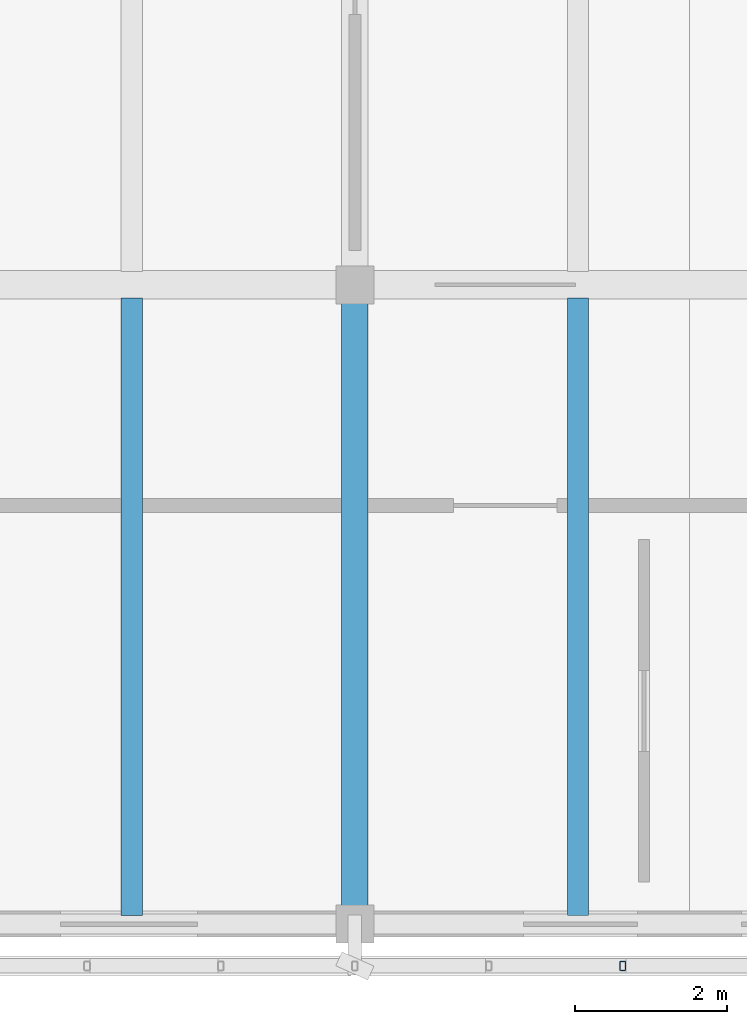
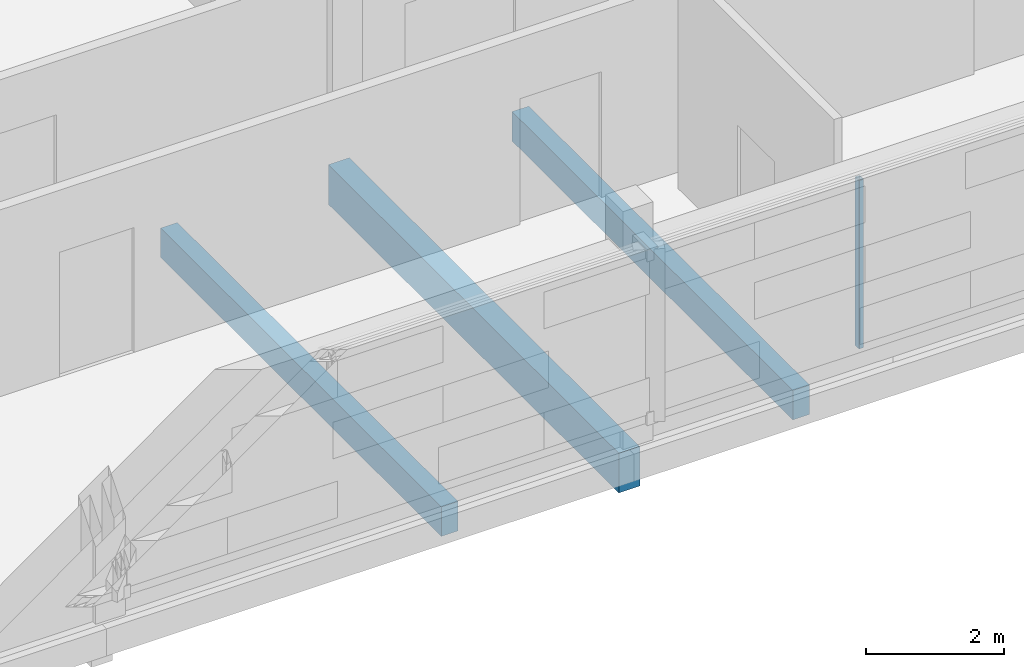
# One storey, part 24 of 137: 3 beams, 1 member.
"""IFC4 building model written with IfcOpenShell, lengths in metres."""

from ifc_helpers import new_model, si_unit, direction, frame, origin, origin_2d, place, context, subcontext, project, spatial, rectangle, hollow_rectangle, extrude, material, material_profile, profile_set, type_object, element, save


model = new_model("IFC4")

# Units and contexts
model_context = context("Model", 3, precision=1e-05, world=origin(), true_north=direction((0.0, 1.0)))
body_context = subcontext(model_context, "Body", "Model", "MODEL_VIEW")
ifc_project = project(units=[si_unit("LENGTHUNIT", "METRE"), si_unit("AREAUNIT", "SQUARE_METRE"), si_unit("VOLUMEUNIT", "CUBIC_METRE"), si_unit("PLANEANGLEUNIT", "RADIAN"), si_unit("MASSUNIT", "GRAM", prefix="KILO")], contexts=[model_context])

# Site, building, storey
site_placement = place(None, origin())
site = spatial("IfcSite", under=ifc_project, at=site_placement, CompositionType="ELEMENT")
building_placement = place(site_placement, origin())
building = spatial("IfcBuilding", under=site, at=building_placement, Name="Cinderway Yard Community Centre", CompositionType="ELEMENT")
storey_placement = place(building_placement, frame((0.0, 0.0, 4.800048828125)))
storey = spatial("IfcBuildingStorey", under=building, at=storey_placement, Name="L01", CompositionType="ELEMENT", Elevation=4.800048828125)

# Member
ifc_material_1 = material(Name="Steel S355", Category="steel")
ifc_material_profile_1 = material_profile(ifc_material_1, hollow_rectangle(XDim=0.080078125, YDim=0.1201171875, WallThickness=0.00634765625, InnerFilletRadius=0.00634765625, OuterFilletRadius=0.0126953125, at=origin_2d()), Name="Steel S355")
ifc_profile_set_1 = profile_set([ifc_material_profile_1], Name="Steel S355")
member_type = type_object("IfcMemberType", Name="ENV-MEM-SCREEN-RAIL-120", PredefinedType="STRINGER", material=ifc_profile_set_1)
member_placement = place(storey_placement, frame((87.52001953125, 5.449951171875, 0.68994140625), z_axis=(0.0, 0.0, 1.0), x_axis=(1.0, 0.0, 0.0)))
element("IfcMember", 1, at=member_placement, inside=storey, type_object=member_type, Name="Screen vertical mullion 0572", PredefinedType="STRINGER", context=body_context, shape_type="SweptSolid", body=[
    extrude(hollow_rectangle(XDim=0.080078125, YDim=0.1201171875, WallThickness=0.00634765625, InnerFilletRadius=0.00634765625, OuterFilletRadius=0.0126953125, at=origin_2d()), origin(), (0.0, 0.0, 1.0), 2.969970703125),
])

# Beams
ifc_material_2 = material(Name="Concrete C35/45", Category="concrete")
ifc_material_profile_2 = material_profile(ifc_material_2, rectangle(XDim=0.280029296875, YDim=0.52001953125, at=origin_2d()), Name="Concrete C35/45")
ifc_profile_set_2 = profile_set([ifc_material_profile_2], Name="Concrete C35/45")
beam_type_1 = type_object("IfcBeamType", Name="STR-BM-RC280X520", PredefinedType="JOIST", material=ifc_profile_set_2)
for number, where, z_axis, x_axis, name in (
    (2, (81.06689453125, 6.112060546875, -0.5), (0.0, 1.0, 0.0), (-1.0, 0.0, 0.0), "Secondary joist STR-BM-L01-BJ04-0154"),
    (3, (86.93310546875, 6.112060546875, -0.5), (0.0, 1.0, 0.0), (-1.0, 0.0, 0.0), "Secondary joist STR-BM-L01-BJ04-0157"),
):
    element("IfcBeam", number, at=place(storey_placement, frame(where, z_axis=z_axis, x_axis=x_axis)), inside=storey, type_object=beam_type_1, Name=name, PredefinedType="JOIST", context=body_context, shape_type="SweptSolid", body=[
        extrude(rectangle(XDim=0.280029296875, YDim=0.52001953125, at=origin_2d()), origin(), (0.0, 0.0, 1.0), 8.115966796875),
    ])
ifc_material_profile_3 = material_profile(ifc_material_2, rectangle(XDim=0.35009765625, YDim=0.699951171875, at=origin_2d()), Name="Concrete C35/45")
ifc_profile_set_3 = profile_set([ifc_material_profile_3], Name="Concrete C35/45")
beam_type_2 = type_object("IfcBeamType", Name="STR-BM-RC350X700", PredefinedType="BEAM", material=ifc_profile_set_3)
beam_placement = place(storey_placement, frame((84.0, 6.0, -0.590087890625), z_axis=(0.0, 1.0, 0.0), x_axis=(-1.0, 0.0, 0.0)))
element("IfcBeam", 4, at=beam_placement, inside=storey, type_object=beam_type_2, Name="Transverse girder STR-BM-L01-BG07-0137", PredefinedType="BEAM", context=body_context, shape_type="SweptSolid", body=[
    extrude(rectangle(XDim=0.35009765625, YDim=0.699951171875, at=origin_2d()), origin(), (0.0, 0.0, 1.0), 8.39990234375),
])

save(model, "model.ifc")
